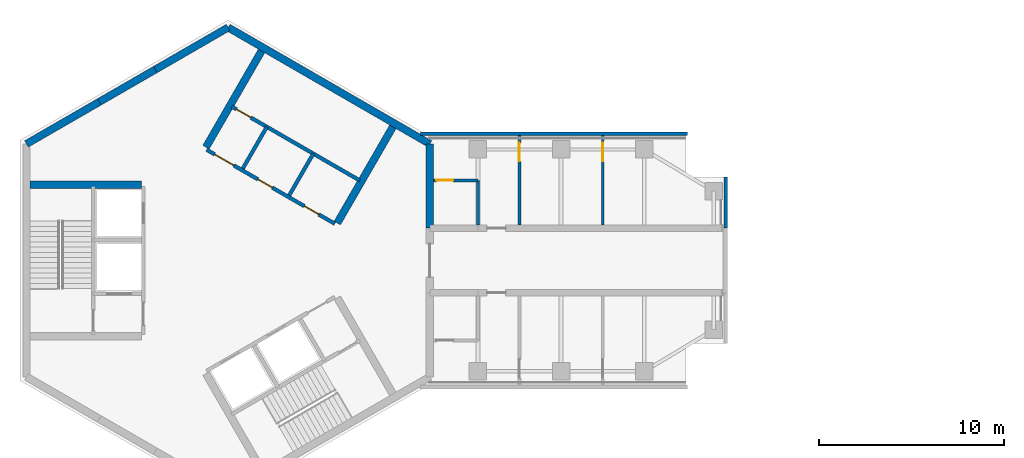
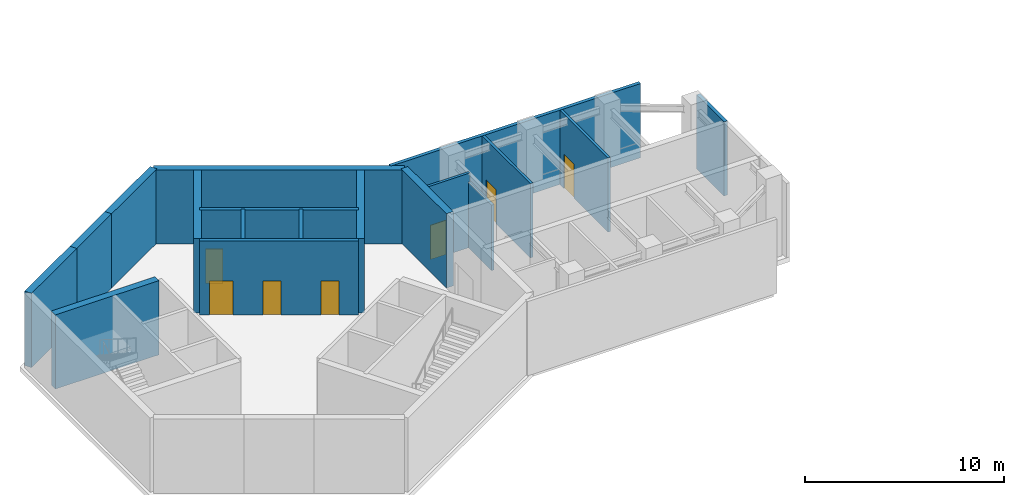
# One storey, part 4 of 8: 18 walls, 7 doors, 7 openings.
"""IFC4 building model written with IfcOpenShell, lengths in metres."""

from ifc_helpers import new_model, si_unit, direction, frame, frame_2d, origin, place, context, subcontext, project, spatial, rectangle, extrude, material, layer, layer_set, type_object, element, fill, save


model = new_model("IFC4")

# Units and contexts
model_context = context("Model", 3, precision=1e-05, world=origin(), true_north=direction((0.0, 1.0)))
body_context = subcontext(model_context, "Body", "Model", "MODEL_VIEW")
ifc_project = project(units=[si_unit("LENGTHUNIT", "METRE"), si_unit("AREAUNIT", "SQUARE_METRE"), si_unit("VOLUMEUNIT", "CUBIC_METRE"), si_unit("PLANEANGLEUNIT", "RADIAN"), si_unit("MASSUNIT", "GRAM", prefix="KILO")], contexts=[model_context])

# Site, building, storey
site_placement = place(None, origin())
site = spatial("IfcSite", under=ifc_project, at=site_placement, CompositionType="ELEMENT")
building_placement = place(site_placement, origin())
building = spatial("IfcBuilding", under=site, at=building_placement, Name="Upepo Twin Towers", CompositionType="ELEMENT")
storey_placement = place(building_placement, frame((0.0, 0.0, 291.5)))
storey = spatial("IfcBuildingStorey", under=building, at=storey_placement, Name="L71", CompositionType="ELEMENT", Elevation=291.5)

# Walls
ifc_material_1 = material(Name="Precast concrete breeze blocks", Category="concrete")
ifc_layer_1 = layer(ifc_material_1, 0.199951171875)
ifc_layer_set_1 = layer_set([ifc_layer_1], Name="Breeze-block screen wall 200")
wall_type_1 = type_object("IfcWallType", Name="Breeze-block screen wall 200", PredefinedType="USERDEFINED", material=ifc_layer_set_1)
wall_1_placement = place(storey_placement, frame((10.38720703125, 6.85009765625, 0.0), z_axis=(0.0, 0.0, 1.0), x_axis=(1.0, 0.0, 0.0)))
element("IfcWall", 1, at=wall_1_placement, inside=storey, type_object=wall_type_1, Name="T1 L71 wing A screen L", ObjectType="SCREEN", PredefinedType="USERDEFINED", context=body_context, shape_type="SweptSolid", body=[
    extrude(rectangle(XDim=14.462890625, YDim=0.199951171875, at=frame_2d((7.2314453125, 0.0))), origin(), (0.0, 0.0, 1.0), 4.550048828125),
])
wall_2_placement = place(storey_placement, frame((26.89990234375, 1.75, 0.0), z_axis=(0.0, 0.0, 1.0), x_axis=(0.0, 1.0, 0.0)))
element("IfcWall", 2, at=wall_2_placement, inside=storey, type_object=wall_type_1, Name="T1 L71 wing A nose screen 2", ObjectType="SCREEN", PredefinedType="USERDEFINED", context=body_context, shape_type="SweptSolid", body=[
    extrude(rectangle(XDim=2.75, YDim=0.199951171875, at=frame_2d((1.375, 0.0))), origin(), (0.0, 0.0, 1.0), 4.550048828125),
])
ifc_material_2 = material(Name="Concrete C60/75", Category="concrete")
ifc_layer_2 = layer(ifc_material_2, 0.39990234375)
ifc_layer_set_2 = layer_set([ifc_layer_2], Name="Concrete C60/75")
wall_type_2 = type_object("IfcWallType", Name="Core wall 400 RC", PredefinedType="SHEAR", material=ifc_layer_set_2)
wall_3_placement = place(storey_placement, frame((10.908447265625, 1.75, 0.0), z_axis=(0.0, 0.0, 1.0), x_axis=(0.0, 1.0, 0.0)))
element("IfcWall", 3, at=wall_3_placement, inside=storey, type_object=wall_type_2, Name="T1 core wall 000 L", PredefinedType="SHEAR", context=body_context, shape_type="SweptSolid", body=[
    extrude(rectangle(XDim=4.5478515625, YDim=0.39990234375, at=frame_2d((2.27392578125, 0.0))), origin(), (0.0, 0.0, 1.0), 4.550048828125),
])
wall_4_placement = place(storey_placement, frame((10.908447265625, 6.2978515625, 0.0), z_axis=(0.0, 0.0, 1.0), x_axis=(-0.866021940709, 0.500005998175, 0.0)))
element("IfcWall", 4, at=wall_4_placement, inside=storey, type_object=wall_type_2, Name="T1 core wall 060", PredefinedType="SHEAR", context=body_context, shape_type="SweptSolid", body=[
    extrude(rectangle(XDim=12.595947265625, YDim=0.39990234375, at=frame_2d((6.2978515625, 0.0))), origin(), (0.0, 0.0, 1.0), 4.550048828125),
])
wall_5_placement = place(storey_placement, frame((0.0, 12.595947265625, 0.0), z_axis=(0.0, 0.0, 1.0), x_axis=(-0.866011268655, -0.500024481964, 0.0)))
element("IfcWall", 5, at=wall_5_placement, inside=storey, type_object=wall_type_2, Name="T1 core wall 120 R", PredefinedType="SHEAR", context=body_context, shape_type="SweptSolid", body=[
    extrude(rectangle(XDim=4.548095703125, YDim=0.39990234375, at=frame_2d((2.27392578125, 0.0))), origin(), (0.0, 0.0, 1.0), 4.550048828125),
])
wall_6_placement = place(storey_placement, frame((-3.938720703125, 10.32177734375, 0.0), z_axis=(0.0, 0.0, 1.0), x_axis=(-0.866019471182, -0.500010275428, 0.0)))
element("IfcWall", 6, at=wall_6_placement, inside=storey, type_object=wall_type_2, Name="T1 core wall 120", PredefinedType="SHEAR", context=body_context, shape_type="SweptSolid", body=[
    extrude(rectangle(XDim=3.5, YDim=0.39990234375, at=frame_2d((1.75, 0.0))), origin(), (0.0, 0.0, 1.0), 4.550048828125),
])
wall_7_placement = place(storey_placement, frame((-6.9697265625, 8.57177734375, 0.0), z_axis=(0.0, 0.0, 1.0), x_axis=(-0.866034513004, -0.499984222037, 0.0)))
element("IfcWall", 7, at=wall_7_placement, inside=storey, type_object=wall_type_2, Name="T1 core wall 120 L", PredefinedType="SHEAR", context=body_context, shape_type="SweptSolid", body=[
    extrude(rectangle(XDim=4.548095703125, YDim=0.39990234375, at=frame_2d((2.27392578125, 0.0))), origin(), (0.0, 0.0, 1.0), 4.550048828125),
])

# Wall, openings, doors
ifc_material_3 = material(Name="Concrete C40/50", Category="concrete")
ifc_layer_3 = layer(ifc_material_3, 0.199951171875)
ifc_layer_set_3 = layer_set([ifc_layer_3], Name="Concrete C40/50")
wall_type_3 = type_object("IfcWallType", Name="Shaft wall 200 RC", PredefinedType="SHEAR", material=ifc_layer_set_3)
wall_8_placement = place(storey_placement, frame((5.76416015625, 1.983642578125, 0.0), z_axis=(0.0, 0.0, 1.0), x_axis=(-0.866026010844, 0.49999894854, 0.0)))
wall_8 = element("IfcWall", 8, at=wall_8_placement, inside=storey, type_object=wall_type_3, Name="T1 core W60 front wall", PredefinedType="SHEAR", context=body_context, shape_type="SweptSolid", body=[
    extrude(rectangle(XDim=8.0, YDim=0.199951171875, at=frame_2d((4.0, 0.0))), origin(), (0.0, 0.0, 1.0), 4.550048828125),
])
opening_1_placement = place(wall_8_placement, frame((6.300048828125, 0.0, 0.0)))
opening_1 = element("IfcOpeningElement", 9, at=opening_1_placement, cuts=wall_8, Name="Opening D4", PredefinedType="OPENING", context=body_context, shape_type="SweptSolid", body=[
    extrude(rectangle(XDim=1.199951171875, YDim=2.10009765625, at=frame_2d((0.60009765625, 1.050048828125))), frame((0.0, 0.10986328125, 0.0), z_axis=(0.0, -1.0, 0.0), x_axis=(1.0, 0.0, 0.0)), (0.0, 0.0, 1.0), 0.219970703125),
])
opening_2_placement = place(wall_8_placement, frame((1.0, 0.0, 0.0)))
opening_2 = element("IfcOpeningElement", 10, at=opening_2_placement, cuts=wall_8, Name="Opening D9", PredefinedType="OPENING", context=body_context, shape_type="SweptSolid", body=[
    extrude(rectangle(XDim=0.89990234375, YDim=2.10009765625, at=frame_2d((0.449951171875, 1.050048828125))), frame((0.0, 0.10986328125, 0.0), z_axis=(0.0, -1.0, 0.0), x_axis=(1.0, 0.0, 0.0)), (0.0, 0.0, 1.0), 0.219970703125),
])
opening_3_placement = place(wall_8_placement, frame((3.89990234375, 0.0, 0.0)))
opening_3 = element("IfcOpeningElement", 11, at=opening_3_placement, cuts=wall_8, Name="Opening D9", PredefinedType="OPENING", context=body_context, shape_type="SweptSolid", body=[
    extrude(rectangle(XDim=0.89990234375, YDim=2.10009765625, at=frame_2d((0.449951171875, 1.050048828125))), frame((0.0, 0.10986328125, 0.0), z_axis=(0.0, -1.0, 0.0), x_axis=(1.0, 0.0, 0.0)), (0.0, 0.0, 1.0), 0.219970703125),
])
ifc_material_4 = material(Name="Timber doorset", Category="wood")
door_type_1 = type_object("IfcDoorType", Name="Lobby door 1200 FD60", OperationType="SINGLE_SWING_LEFT", PredefinedType="DOOR", material=ifc_material_4)
door_1_placement = place(opening_1_placement, origin())
door_1 = element("IfcDoor", 12, at=door_1_placement, inside=storey, type_object=door_type_1, Name="T1 L71 W60 lobby door", OperationType="SINGLE_SWING_RIGHT", OverallHeight=2.10009765625, OverallWidth=1.199951171875, PredefinedType="DOOR", context=body_context, shape_type="SweptSolid", body=[
    extrude(rectangle(XDim=1.199951171875, YDim=2.10009765625, at=frame_2d((0.60009765625, 1.050048828125))), frame((0.0, 0.02490234375, 0.0), z_axis=(0.0, -1.0, 0.0), x_axis=(1.0, 0.0, 0.0)), (0.0, 0.0, 1.0), 0.050048828125),
])
fill(opening_1, door_1)
ifc_material_5 = material(Name="Timber doorset", Category="wood")
door_type_2 = type_object("IfcDoorType", Name="Riser door 900 FD60", OperationType="SINGLE_SWING_LEFT", PredefinedType="DOOR", material=ifc_material_5)
door_2_placement = place(opening_2_placement, origin())
door_2 = element("IfcDoor", 13, at=door_2_placement, inside=storey, type_object=door_type_2, Name="T1 L71 water booster pump room door", OperationType="SINGLE_SWING_LEFT", OverallHeight=2.10009765625, OverallWidth=0.89990234375, PredefinedType="DOOR", context=body_context, shape_type="SweptSolid", body=[
    extrude(rectangle(XDim=0.89990234375, YDim=2.10009765625, at=frame_2d((0.449951171875, 1.050048828125))), frame((0.0, 0.02490234375, 0.0), z_axis=(0.0, -1.0, 0.0), x_axis=(1.0, 0.0, 0.0)), (0.0, 0.0, 1.0), 0.050048828125),
])
fill(opening_2, door_2)
door_3_placement = place(opening_3_placement, origin())
door_3 = element("IfcDoor", 14, at=door_3_placement, inside=storey, type_object=door_type_2, Name="T1 L71 electrical switch room door", OperationType="SINGLE_SWING_RIGHT", OverallHeight=2.10009765625, OverallWidth=0.89990234375, PredefinedType="DOOR", context=body_context, shape_type="SweptSolid", body=[
    extrude(rectangle(XDim=0.89990234375, YDim=2.10009765625, at=frame_2d((0.449951171875, 1.050048828125))), frame((0.0, 0.02490234375, 0.0), z_axis=(0.0, -1.0, 0.0), x_axis=(1.0, 0.0, 0.0)), (0.0, 0.0, 1.0), 0.050048828125),
])
fill(opening_3, door_3)

# Walls
for number, where, z_axis, x_axis, name in (
    (15, (3.302734375, 3.520263671875, 0.0), (0.0, 0.0, 1.0), (0.499936506574, 0.866062058628, 0.0), "T1 core W60 shaft divider"),
    (16, (0.791259765625, 4.97021484375, 0.0), (0.0, 0.0, 1.0), (0.499936506574, 0.866062058628, 0.0), "T1 core W60 lobby wall"),
):
    element("IfcWall", number, at=place(storey_placement, frame(where, z_axis=z_axis, x_axis=x_axis)), inside=storey, type_object=wall_type_3, Name=name, PredefinedType="SHEAR", context=body_context, shape_type="SweptSolid", body=[
        extrude(rectangle(XDim=2.599853515625, YDim=0.199951171875, at=frame_2d((1.2998046875, 0.0))), origin(), (0.0, 0.0, 1.0), 4.550048828125),
    ])

# Wall, opening, door
wall_9_placement = place(storey_placement, frame((7.114013671875, 4.322021484375, 0.0), z_axis=(0.0, 0.0, 1.0), x_axis=(-0.866026010844, 0.49999894854, 0.0)))
wall_9 = element("IfcWall", 17, at=wall_9_placement, inside=storey, type_object=wall_type_3, Name="T1 core W60 stair wall", PredefinedType="SHEAR", context=body_context, shape_type="SweptSolid", body=[
    extrude(rectangle(XDim=8.0, YDim=0.199951171875, at=frame_2d((4.0, 0.0))), origin(), (0.0, 0.0, 1.0), 4.550048828125),
])
opening_4_placement = place(wall_9_placement, frame((6.800048828125, 0.0, 0.0)))
opening_4 = element("IfcOpeningElement", 18, at=opening_4_placement, cuts=wall_9, Name="Opening D9", PredefinedType="OPENING", context=body_context, shape_type="SweptSolid", body=[
    extrude(rectangle(XDim=0.89990234375, YDim=2.10009765625, at=frame_2d((0.449951171875, 1.050048828125))), frame((0.0, 0.10986328125, 0.0), z_axis=(0.0, -1.0, 0.0), x_axis=(1.0, 0.0, 0.0)), (0.0, 0.0, 1.0), 0.219970703125),
])
door_4_placement = place(opening_4_placement, origin())
door_4 = element("IfcDoor", 19, at=door_4_placement, inside=storey, type_object=door_type_2, Name="T1 L71 riser door", OperationType="SINGLE_SWING_RIGHT", OverallHeight=2.10009765625, OverallWidth=0.89990234375, PredefinedType="DOOR", context=body_context, shape_type="SweptSolid", body=[
    extrude(rectangle(XDim=0.89990234375, YDim=2.10009765625, at=frame_2d((0.449951171875, 1.050048828125))), frame((0.0, 0.02490234375, 0.0), z_axis=(0.0, -1.0, 0.0), x_axis=(1.0, 0.0, 0.0)), (0.0, 0.0, 1.0), 0.050048828125),
])
fill(opening_4, door_4)

# Walls
ifc_material_6 = material(Name="Concrete C40/50", Category="concrete")
ifc_layer_4 = layer(ifc_material_6, 0.39990234375)
ifc_layer_set_4 = layer_set([ifc_layer_4], Name="Concrete C40/50")
wall_type_4 = type_object("IfcWallType", Name="Shaft wall 400 RC", PredefinedType="SHEAR", material=ifc_layer_set_4)
for number, where, z_axis, x_axis, name in (
    (20, (-1.20068359375, 6.120361328125, 0.0), (0.0, 0.0, 1.0), (0.499997979876, 0.866026570101, 0.0), "T1 core W60 side wall N"),
    (21, (5.900634765625, 2.020263671875, 0.0), (0.0, 0.0, 1.0), (0.499997979876, 0.866026570101, 0.0), "T1 core W60 side wall S"),
    (22, (-4.699951171875, 4.10009765625, 0.0), (0.0, 0.0, 1.0), (-1.0, 0.0, 0.0), "T1 core W180 side wall S"),
):
    element("IfcWall", number, at=place(storey_placement, frame(where, z_axis=z_axis, x_axis=x_axis)), inside=storey, type_object=wall_type_4, Name=name, PredefinedType="SHEAR", context=body_context, shape_type="SweptSolid", body=[
        extrude(rectangle(XDim=6.00830078125, YDim=0.39990234375, at=frame_2d((3.004150390625, 0.0))), origin(), (0.0, 0.0, 1.0), 4.550048828125),
    ])

# Wall, opening, door
ifc_material_7 = material(Name="Gypsum board on steel studs", Category="steel")
ifc_layer_5 = layer(ifc_material_7, 0.14990234375)
ifc_layer_set_5 = layer_set([ifc_layer_5], Name="Teaching partition 150 acoustic")
wall_type_5 = type_object("IfcWallType", Name="Teaching partition 150 acoustic", PredefinedType="PARTITIONING", material=ifc_layer_set_5)
wall_10_placement = place(storey_placement, frame((15.75, 1.925048828125, 0.0), z_axis=(0.0, 0.0, 1.0), x_axis=(0.0, 1.0, 0.0)))
wall_10 = element("IfcWall", 23, at=wall_10_placement, inside=storey, type_object=wall_type_5, Name="T1 partition AL at 15.75", PredefinedType="PARTITIONING", context=body_context, shape_type="SweptSolid", body=[
    extrude(rectangle(XDim=4.824951171875, YDim=0.14990234375, at=frame_2d((2.41259765625, 0.0))), origin(), (0.0, 0.0, 1.0), 4.550048828125),
])
opening_5_placement = place(wall_10_placement, frame((3.425048828125, 0.0, 0.0)))
opening_5 = element("IfcOpeningElement", 24, at=opening_5_placement, cuts=wall_10, Name="Opening D1", PredefinedType="OPENING", context=body_context, shape_type="SweptSolid", body=[
    extrude(rectangle(XDim=1.0, YDim=2.10009765625, at=frame_2d((0.5, 1.050048828125))), frame((0.0, 0.0849609375, 0.0), z_axis=(0.0, -1.0, 0.0), x_axis=(1.0, 0.0, 0.0)), (0.0, 0.0, 1.0), 0.169921875),
])
ifc_material_8 = material(Name="Timber doorset", Category="wood")
door_type_3 = type_object("IfcDoorType", Name="Room door 1000 FD30", OperationType="SINGLE_SWING_LEFT", PredefinedType="DOOR", material=ifc_material_8)
door_5_placement = place(opening_5_placement, origin())
door_5 = element("IfcDoor", 25, at=door_5_placement, inside=storey, type_object=door_type_3, Name="T1 L71 connecting door", OperationType="SINGLE_SWING_RIGHT", OverallHeight=2.10009765625, OverallWidth=1.0, PredefinedType="DOOR", context=body_context, shape_type="SweptSolid", body=[
    extrude(rectangle(XDim=1.0, YDim=2.10009765625, at=frame_2d((0.5, 1.050048828125))), frame((0.0, 0.02490234375, 0.0), z_axis=(0.0, -1.0, 0.0), x_axis=(1.0, 0.0, 0.0)), (0.0, 0.0, 1.0), 0.050048828125),
])
fill(opening_5, door_5)

wall_11_placement = place(storey_placement, frame((20.25, 1.925048828125, 0.0), z_axis=(0.0, 0.0, 1.0), x_axis=(0.0, 1.0, 0.0)))
wall_11 = element("IfcWall", 26, at=wall_11_placement, inside=storey, type_object=wall_type_5, Name="T1 partition AL at 20.25", PredefinedType="PARTITIONING", context=body_context, shape_type="SweptSolid", body=[
    extrude(rectangle(XDim=4.824951171875, YDim=0.14990234375, at=frame_2d((2.41259765625, 0.0))), origin(), (0.0, 0.0, 1.0), 4.550048828125),
])
opening_6_placement = place(wall_11_placement, frame((3.425048828125, 0.0, 0.0)))
opening_6 = element("IfcOpeningElement", 27, at=opening_6_placement, cuts=wall_11, Name="Opening D1", PredefinedType="OPENING", context=body_context, shape_type="SweptSolid", body=[
    extrude(rectangle(XDim=1.0, YDim=2.10009765625, at=frame_2d((0.5, 1.050048828125))), frame((0.0, 0.0849609375, 0.0), z_axis=(0.0, -1.0, 0.0), x_axis=(1.0, 0.0, 0.0)), (0.0, 0.0, 1.0), 0.169921875),
])
door_6_placement = place(opening_6_placement, origin())
door_6 = element("IfcDoor", 28, at=door_6_placement, inside=storey, type_object=door_type_3, Name="T1 L71 connecting door", OperationType="SINGLE_SWING_RIGHT", OverallHeight=2.10009765625, OverallWidth=1.0, PredefinedType="DOOR", context=body_context, shape_type="SweptSolid", body=[
    extrude(rectangle(XDim=1.0, YDim=2.10009765625, at=frame_2d((0.5, 1.050048828125))), frame((0.0, 0.02490234375, 0.0), z_axis=(0.0, -1.0, 0.0), x_axis=(1.0, 0.0, 0.0)), (0.0, 0.0, 1.0), 0.050048828125),
])
fill(opening_6, door_6)

wall_12_placement = place(storey_placement, frame((11.10791015625, 4.324951171875, 0.0), z_axis=(0.0, 0.0, 1.0), x_axis=(1.0, 0.0, 0.0)))
wall_12 = element("IfcWall", 29, at=wall_12_placement, inside=storey, type_object=wall_type_5, Name="T1 WC bay partition AL at 11.11", PredefinedType="PARTITIONING", context=body_context, shape_type="SweptSolid", body=[
    extrude(rectangle(XDim=2.400146484375, YDim=0.14990234375, at=frame_2d((1.2001953125, 0.0))), origin(), (0.0, 0.0, 1.0), 4.550048828125),
])
opening_7_placement = place(wall_12_placement, frame((0.14990234375, 0.0, 0.0)))
opening_7 = element("IfcOpeningElement", 30, at=opening_7_placement, cuts=wall_12, Name="Opening D14", PredefinedType="OPENING", context=body_context, shape_type="SweptSolid", body=[
    extrude(rectangle(XDim=0.89990234375, YDim=2.10009765625, at=frame_2d((0.449951171875, 1.050048828125))), frame((0.0, 0.0849609375, 0.0), z_axis=(0.0, -1.0, 0.0), x_axis=(1.0, 0.0, 0.0)), (0.0, 0.0, 1.0), 0.169921875),
])
ifc_material_9 = material(Name="Timber doorset", Category="wood")
door_type_4 = type_object("IfcDoorType", Name="Office door 900 FD30", OperationType="SINGLE_SWING_LEFT", PredefinedType="DOOR", material=ifc_material_9)
door_7_placement = place(opening_7_placement, origin())
door_7 = element("IfcDoor", 31, at=door_7_placement, inside=storey, type_object=door_type_4, Name="T1 L71 WC bay inner room door", OperationType="SINGLE_SWING_LEFT", OverallHeight=2.10009765625, OverallWidth=0.89990234375, PredefinedType="DOOR", context=body_context, shape_type="SweptSolid", body=[
    extrude(rectangle(XDim=0.89990234375, YDim=2.10009765625, at=frame_2d((0.449951171875, 1.050048828125))), frame((0.0, 0.02490234375, 0.0), z_axis=(0.0, -1.0, 0.0), x_axis=(1.0, 0.0, 0.0)), (0.0, 0.0, 1.0), 0.050048828125),
])
fill(opening_7, door_7)

# Wall
wall_13_placement = place(storey_placement, frame((13.508056640625, 1.925048828125, 0.0), z_axis=(0.0, 0.0, 1.0), x_axis=(0.0, 1.0, 0.0)))
element("IfcWall", 32, at=wall_13_placement, inside=storey, type_object=wall_type_5, Name="T1 WC bay partition AL end at 13.51", PredefinedType="PARTITIONING", context=body_context, shape_type="SweptSolid", body=[
    extrude(rectangle(XDim=2.39990234375, YDim=0.14990234375, at=frame_2d((1.199951171875, 0.0))), origin(), (0.0, 0.0, 1.0), 4.016845703125),
])

save(model, "model.ifc")
